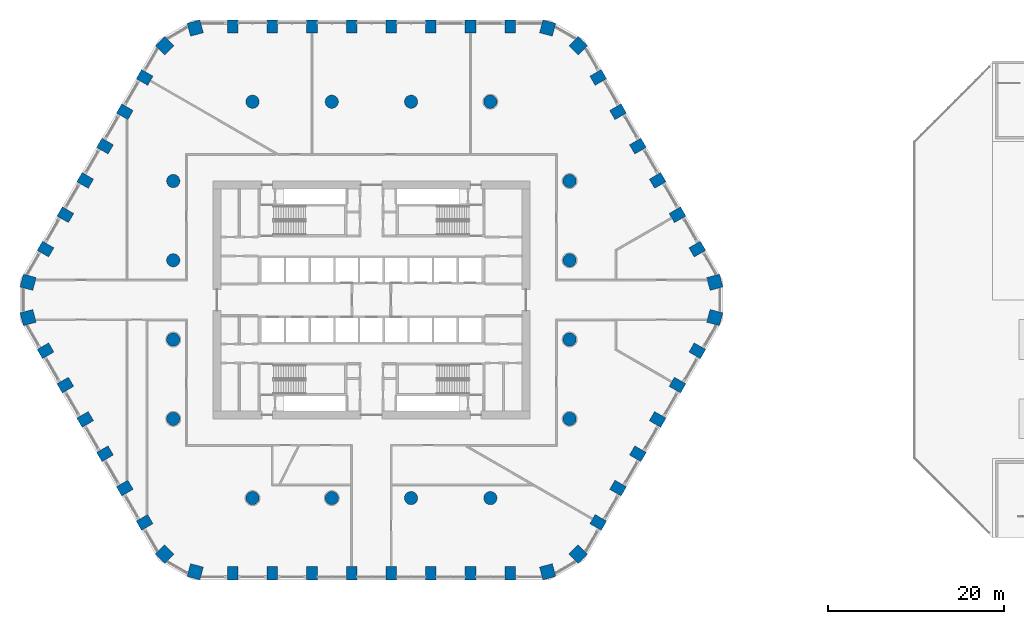
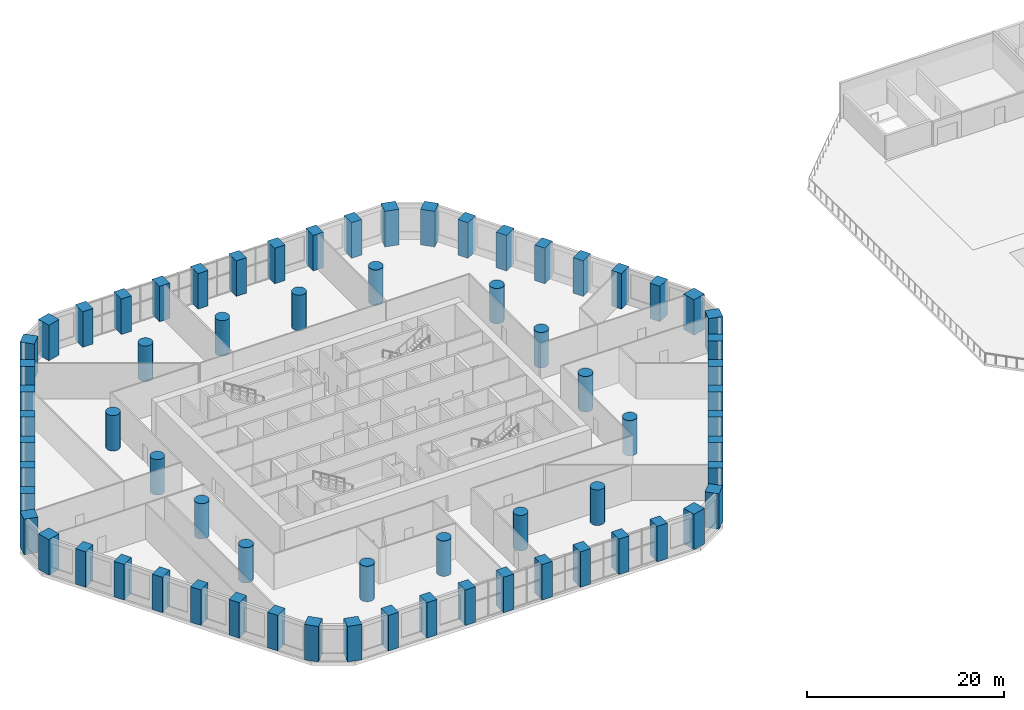
# One storey, part 1 of 21: 68 columns.
"""IFC4 building model written with IfcOpenShell, lengths in metres."""

from ifc_helpers import new_model, si_unit, direction, frame, origin, origin_2d, place, context, subcontext, project, spatial, rectangle, circle, extrude, material, material_profile, profile_set, type_object, element, save


model = new_model("IFC4")

# Units and contexts
model_context = context("Model", 3, precision=1e-05, world=origin(), true_north=direction((0.0, 1.0)))
body_context = subcontext(model_context, "Body", "Model", "MODEL_VIEW")
ifc_project = project(units=[si_unit("LENGTHUNIT", "METRE"), si_unit("AREAUNIT", "SQUARE_METRE"), si_unit("VOLUMEUNIT", "CUBIC_METRE"), si_unit("PLANEANGLEUNIT", "RADIAN"), si_unit("MASSUNIT", "GRAM", prefix="KILO")], contexts=[model_context])

# Site, building, storey
site_placement = place(None, origin())
site = spatial("IfcSite", under=ifc_project, at=site_placement, CompositionType="ELEMENT")
building_placement = place(site_placement, origin())
building = spatial("IfcBuilding", under=site, at=building_placement, Name="Dhurran Vertical Campus", CompositionType="ELEMENT")
storey_placement = place(building_placement, frame((0.0, 0.0, 20.39990234375)))
storey = spatial("IfcBuildingStorey", under=building, at=storey_placement, Name="L04", CompositionType="ELEMENT", Elevation=20.39990234375)

# Columns
ifc_material_1 = material(Name="Concrete C70/85", Category="concrete")
ifc_material_profile_1 = material_profile(ifc_material_1, rectangle(XDim=1.199951171875, YDim=1.5, at=origin_2d()), Name="RC 1200x1500")
ifc_profile_set_1 = profile_set([ifc_material_profile_1], Name="Concrete C70/85")
column_type_1 = type_object("IfcColumnType", Name="FR COL RC 1200x1500 C70/85", PredefinedType="COLUMN", material=ifc_profile_set_1)
for number, where, z_axis, x_axis, name in (
    (1, (-15.75, -31.02978515625, 0.0), (0.0, 0.0, 1.0), (1.0, 0.0, 0.0), "Perimeter pier PP0.01"),
    (2, (-11.25, -31.02978515625, 0.0), (0.0, 0.0, 1.0), (1.0, 0.0, 0.0), "Perimeter pier PP0.02"),
    (3, (-6.75, -31.02978515625, 0.0), (0.0, 0.0, 1.0), (1.0, 0.0, 0.0), "Perimeter pier PP0.03"),
    (4, (-2.25, -31.02978515625, 0.0), (0.0, 0.0, 1.0), (1.0, 0.0, 0.0), "Perimeter pier PP0.04"),
    (5, (2.25, -31.02978515625, 0.0), (0.0, 0.0, 1.0), (1.0, 0.0, 0.0), "Perimeter pier PP0.05"),
    (6, (6.75, -31.02978515625, 0.0), (0.0, 0.0, 1.0), (1.0, 0.0, 0.0), "Perimeter pier PP0.06"),
    (7, (11.25, -31.02978515625, 0.0), (0.0, 0.0, 1.0), (1.0, 0.0, 0.0), "Perimeter pier PP0.07"),
    (8, (15.75, -31.02978515625, 0.0), (0.0, 0.0, 1.0), (1.0, 0.0, 0.0), "Perimeter pier PP0.08"),
    (9, (25.74755859375, -25.2578125, 0.0), (0.0, 0.0, 1.0), (0.5, 0.866025403784, 0.0), "Perimeter pier PP0.11"),
    (10, (27.99755859375, -21.360595703125, 0.0), (0.0, 0.0, 1.0), (0.5, 0.866025403784, 0.0), "Perimeter pier PP0.12"),
    (11, (30.24755859375, -17.46337890625, 0.0), (0.0, 0.0, 1.0), (0.5, 0.866025403784, 0.0), "Perimeter pier PP0.13"),
    (12, (32.49755859375, -13.56640625, 0.0), (0.0, 0.0, 1.0), (0.5, 0.866025403784, 0.0), "Perimeter pier PP0.14"),
    (13, (34.74755859375, -9.669189453125, 0.0), (0.0, 0.0, 1.0), (0.5, 0.866025403784, 0.0), "Perimeter pier PP0.15"),
    (14, (36.99755859375, -5.772216796875, 0.0), (0.0, 0.0, 1.0), (0.5, 0.866025403784, 0.0), "Perimeter pier PP0.16"),
    (15, (36.99755859375, 5.772216796875, 0.0), (0.0, 0.0, 1.0), (-0.5, 0.866025403784, 0.0), "Perimeter pier PP0.19"),
    (16, (34.74755859375, 9.669189453125, 0.0), (0.0, 0.0, 1.0), (-0.5, 0.866025403784, 0.0), "Perimeter pier PP0.20"),
    (17, (32.49755859375, 13.56640625, 0.0), (0.0, 0.0, 1.0), (-0.5, 0.866025403784, 0.0), "Perimeter pier PP0.21"),
    (18, (30.24755859375, 17.46337890625, 0.0), (0.0, 0.0, 1.0), (-0.5, 0.866025403784, 0.0), "Perimeter pier PP0.22"),
    (19, (27.99755859375, 21.360595703125, 0.0), (0.0, 0.0, 1.0), (-0.5, 0.866025403784, 0.0), "Perimeter pier PP0.23"),
    (20, (25.74755859375, 25.2578125, 0.0), (0.0, 0.0, 1.0), (-0.5, 0.866025403784, 0.0), "Perimeter pier PP0.24"),
    (21, (15.75, 31.02978515625, 0.0), (0.0, 0.0, 1.0), (-1.0, 0.0, 0.0), "Perimeter pier PP0.27"),
    (22, (11.25, 31.02978515625, 0.0), (0.0, 0.0, 1.0), (-1.0, 0.0, 0.0), "Perimeter pier PP0.28"),
    (23, (6.75, 31.02978515625, 0.0), (0.0, 0.0, 1.0), (-1.0, 0.0, 0.0), "Perimeter pier PP0.29"),
    (24, (2.25, 31.02978515625, 0.0), (0.0, 0.0, 1.0), (-1.0, 0.0, 0.0), "Perimeter pier PP0.30"),
    (25, (-2.25, 31.02978515625, 0.0), (0.0, 0.0, 1.0), (-1.0, 0.0, 0.0), "Perimeter pier PP0.31"),
    (26, (-6.75, 31.02978515625, 0.0), (0.0, 0.0, 1.0), (-1.0, 0.0, 0.0), "Perimeter pier PP0.32"),
    (27, (-11.25, 31.02978515625, 0.0), (0.0, 0.0, 1.0), (-1.0, 0.0, 0.0), "Perimeter pier PP0.33"),
    (28, (-15.75, 31.02978515625, 0.0), (0.0, 0.0, 1.0), (-1.0, 0.0, 0.0), "Perimeter pier PP0.34"),
    (29, (-25.74755859375, 25.2578125, 0.0), (0.0, 0.0, 1.0), (-0.5, -0.866025403784, 0.0), "Perimeter pier PP0.37"),
    (30, (-27.99755859375, 21.360595703125, 0.0), (0.0, 0.0, 1.0), (-0.5, -0.866025403784, 0.0), "Perimeter pier PP0.38"),
    (31, (-30.24755859375, 17.46337890625, 0.0), (0.0, 0.0, 1.0), (-0.5, -0.866025403784, 0.0), "Perimeter pier PP0.39"),
    (32, (-32.49755859375, 13.56640625, 0.0), (0.0, 0.0, 1.0), (-0.5, -0.866025403784, 0.0), "Perimeter pier PP0.40"),
    (33, (-34.74755859375, 9.669189453125, 0.0), (0.0, 0.0, 1.0), (-0.5, -0.866025403784, 0.0), "Perimeter pier PP0.41"),
    (34, (-36.99755859375, 5.772216796875, 0.0), (0.0, 0.0, 1.0), (-0.5, -0.866025403784, 0.0), "Perimeter pier PP0.42"),
    (35, (-36.99755859375, -5.772216796875, 0.0), (0.0, 0.0, 1.0), (0.5, -0.866025403784, 0.0), "Perimeter pier PP0.45"),
    (36, (-34.74755859375, -9.669189453125, 0.0), (0.0, 0.0, 1.0), (0.5, -0.866025403784, 0.0), "Perimeter pier PP0.46"),
    (37, (-32.49755859375, -13.56640625, 0.0), (0.0, 0.0, 1.0), (0.5, -0.866025403784, 0.0), "Perimeter pier PP0.47"),
    (38, (-30.24755859375, -17.46337890625, 0.0), (0.0, 0.0, 1.0), (0.5, -0.866025403784, 0.0), "Perimeter pier PP0.48"),
    (39, (-27.99755859375, -21.360595703125, 0.0), (0.0, 0.0, 1.0), (0.5, -0.866025403784, 0.0), "Perimeter pier PP0.49"),
    (40, (-25.74755859375, -25.2578125, 0.0), (0.0, 0.0, 1.0), (0.5, -0.866025403784, 0.0), "Perimeter pier PP0.50"),
):
    element("IfcColumn", number, at=place(storey_placement, frame(where, z_axis=z_axis, x_axis=x_axis)), inside=storey, type_object=column_type_1, Name=name, PredefinedType="COLUMN", context=body_context, shape_type="SweptSolid", body=[
        extrude(rectangle(XDim=1.199951171875, YDim=1.5, at=origin_2d()), origin(), (0.0, 0.0, 1.0), 4.400146484375),
    ])
ifc_material_2 = material(Name="Concrete C70/85", Category="concrete")
ifc_material_profile_2 = material_profile(ifc_material_2, rectangle(XDim=1.5, YDim=1.5, at=origin_2d()), Name="RC 1500x1500")
ifc_profile_set_2 = profile_set([ifc_material_profile_2], Name="Concrete C70/85")
column_type_2 = type_object("IfcColumnType", Name="FR COL RC 1500x1500 C70/85", PredefinedType="COLUMN", material=ifc_profile_set_2)
for number, where, z_axis, x_axis, name in (
    (41, (-20.00390625, -30.861083984375, 0.0), (0.0, 0.0, 1.0), (0.965925826289, -0.258819045103, 0.0), "Perimeter pier PP0.00"),
    (42, (20.00390625, -30.861083984375, 0.0), (0.0, 0.0, 1.0), (0.965925826289, 0.258819045103, 0.0), "Perimeter pier PP0.09"),
    (43, (23.474609375, -28.857421875, 0.0), (0.0, 0.0, 1.0), (0.707106781187, 0.707106781187, 0.0), "Perimeter pier PP0.10"),
    (44, (38.978515625, -2.00390625, 0.0), (0.0, 0.0, 1.0), (0.258819045103, 0.965925826289, 0.0), "Perimeter pier PP0.17"),
    (45, (38.978515625, 2.00390625, 0.0), (0.0, 0.0, 1.0), (-0.258819045103, 0.965925826289, 0.0), "Perimeter pier PP0.18"),
    (46, (23.474609375, 28.857421875, 0.0), (0.0, 0.0, 1.0), (-0.707106781187, 0.707106781187, 0.0), "Perimeter pier PP0.25"),
    (47, (20.00390625, 30.861083984375, 0.0), (0.0, 0.0, 1.0), (-0.965925826289, 0.258819045103, 0.0), "Perimeter pier PP0.26"),
    (48, (-20.00390625, 30.861083984375, 0.0), (0.0, 0.0, 1.0), (-0.965925826289, -0.258819045103, 0.0), "Perimeter pier PP0.35"),
    (49, (-23.474609375, 28.857421875, 0.0), (0.0, 0.0, 1.0), (-0.707106781187, -0.707106781187, 0.0), "Perimeter pier PP0.36"),
    (50, (-38.978515625, 2.00390625, 0.0), (0.0, 0.0, 1.0), (-0.258819045103, -0.965925826289, 0.0), "Perimeter pier PP0.43"),
    (51, (-38.978515625, -2.00390625, 0.0), (0.0, 0.0, 1.0), (0.258819045103, -0.965925826289, 0.0), "Perimeter pier PP0.44"),
    (52, (-23.474609375, -28.857421875, 0.0), (0.0, 0.0, 1.0), (0.707106781187, -0.707106781187, 0.0), "Perimeter pier PP0.51"),
):
    element("IfcColumn", number, at=place(storey_placement, frame(where, z_axis=z_axis, x_axis=x_axis)), inside=storey, type_object=column_type_2, Name=name, PredefinedType="COLUMN", context=body_context, shape_type="SweptSolid", body=[
        extrude(rectangle(XDim=1.5, YDim=1.5, at=origin_2d()), origin(), (0.0, 0.0, 1.0), 4.400146484375),
    ])
ifc_material_3 = material(Name="Concrete C70/85", Category="concrete")
ifc_material_profile_3 = material_profile(ifc_material_3, circle(Radius=0.75, at=origin_2d()), Name="RCC D1500")
ifc_profile_set_3 = profile_set([ifc_material_profile_3], Name="Concrete C70/85")
column_type_3 = type_object("IfcColumnType", Name="FR COL RCC D1500 C70/85", PredefinedType="COLUMN", material=ifc_profile_set_3)
for number, where, z_axis, x_axis, name in (
    (53, (-22.5, -13.5, 0.0), (0.0, 0.0, 1.0), (1.0, 0.0, 0.0), "Inner column IC0-D4"),
    (54, (-22.5, -4.5, 0.0), (0.0, 0.0, 1.0), (1.0, 0.0, 0.0), "Inner column IC0-D5"),
    (55, (-22.5, 4.5, 0.0), (0.0, 0.0, 1.0), (1.0, 0.0, 0.0), "Inner column IC0-D6"),
    (56, (-22.5, 13.5, 0.0), (0.0, 0.0, 1.0), (1.0, 0.0, 0.0), "Inner column IC0-D7"),
    (57, (-13.5, -22.5, 0.0), (0.0, 0.0, 1.0), (1.0, 0.0, 0.0), "Inner column IC0-E3"),
    (58, (-13.5, 22.5, 0.0), (0.0, 0.0, 1.0), (1.0, 0.0, 0.0), "Inner column IC0-E8"),
    (59, (-4.5, -22.5, 0.0), (0.0, 0.0, 1.0), (1.0, 0.0, 0.0), "Inner column IC0-F3"),
    (60, (-4.5, 22.5, 0.0), (0.0, 0.0, 1.0), (1.0, 0.0, 0.0), "Inner column IC0-F8"),
    (61, (4.5, -22.5, 0.0), (0.0, 0.0, 1.0), (1.0, 0.0, 0.0), "Inner column IC0-G3"),
    (62, (4.5, 22.5, 0.0), (0.0, 0.0, 1.0), (1.0, 0.0, 0.0), "Inner column IC0-G8"),
    (63, (13.5, -22.5, 0.0), (0.0, 0.0, 1.0), (1.0, 0.0, 0.0), "Inner column IC0-H3"),
    (64, (13.5, 22.5, 0.0), (0.0, 0.0, 1.0), (1.0, 0.0, 0.0), "Inner column IC0-H8"),
    (65, (22.5, -13.5, 0.0), (0.0, 0.0, 1.0), (1.0, 0.0, 0.0), "Inner column IC0-J4"),
    (66, (22.5, -4.5, 0.0), (0.0, 0.0, 1.0), (1.0, 0.0, 0.0), "Inner column IC0-J5"),
    (67, (22.5, 4.5, 0.0), (0.0, 0.0, 1.0), (1.0, 0.0, 0.0), "Inner column IC0-J6"),
    (68, (22.5, 13.5, 0.0), (0.0, 0.0, 1.0), (1.0, 0.0, 0.0), "Inner column IC0-J7"),
):
    element("IfcColumn", number, at=place(storey_placement, frame(where, z_axis=z_axis, x_axis=x_axis)), inside=storey, type_object=column_type_3, Name=name, PredefinedType="COLUMN", context=body_context, shape_type="SweptSolid", body=[
        extrude(circle(Radius=0.75, at=origin_2d()), origin(), (0.0, 0.0, 1.0), 4.400146484375),
    ])

save(model, "model.ifc")
